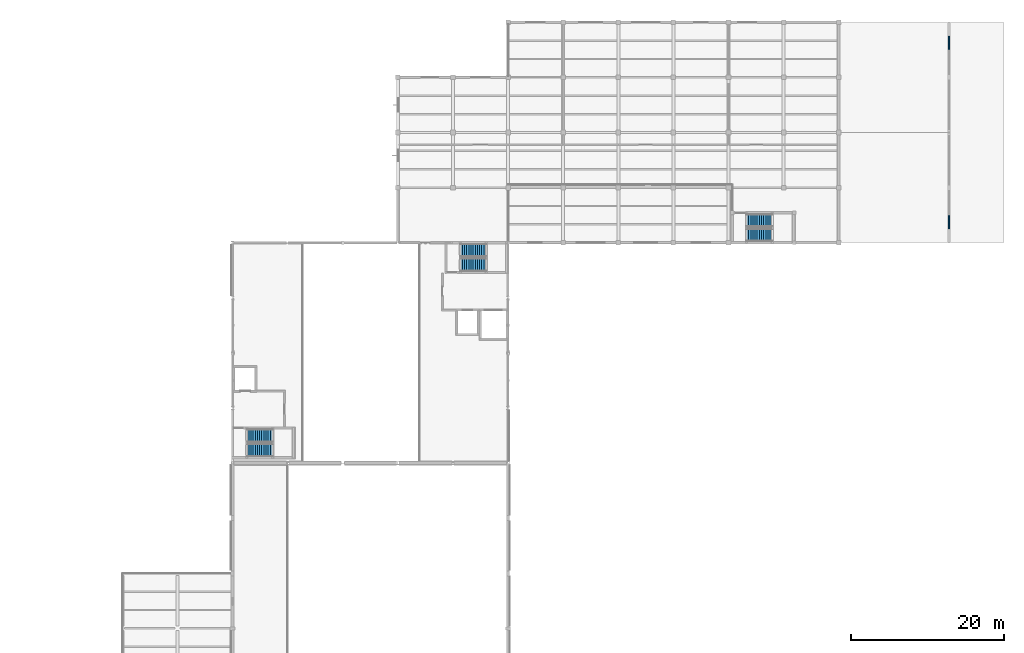
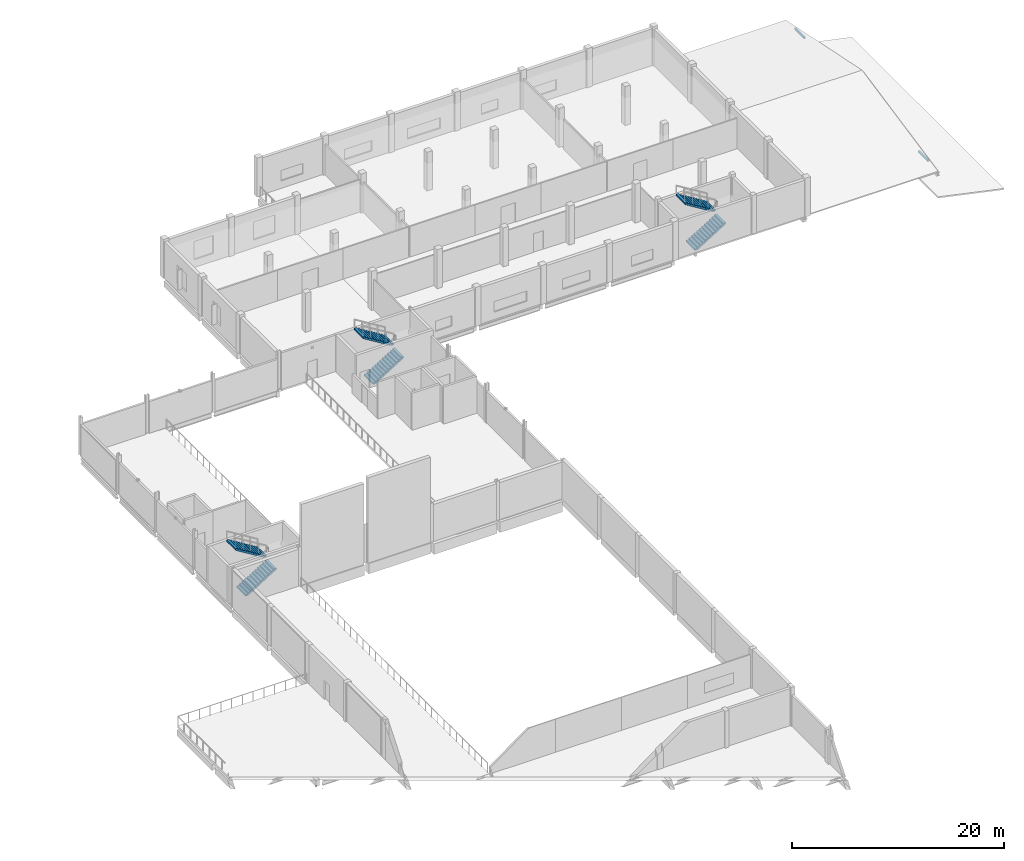
# One storey, part 70 of 76: 6 stair flights, 2 walls, 3 elements without a shape of their own.
"""IFC4 building model written with IfcOpenShell, lengths in metres."""

from ifc_helpers import new_model, si_unit, direction, frame, frame_2d, origin, place, context, subcontext, project, spatial, polyline, rectangle, outline, extrude, material, layer, layer_set, type_object, element, aggregate, save


model = new_model("IFC4")

# Units and contexts
model_context = context("Model", 3, precision=1e-05, world=origin(), true_north=direction((0.0, 1.0)))
body_context = subcontext(model_context, "Body", "Model", "MODEL_VIEW")
ifc_project = project(units=[si_unit("LENGTHUNIT", "METRE"), si_unit("AREAUNIT", "SQUARE_METRE"), si_unit("VOLUMEUNIT", "CUBIC_METRE"), si_unit("PLANEANGLEUNIT", "RADIAN"), si_unit("MASSUNIT", "GRAM", prefix="KILO"), si_unit("THERMODYNAMICTEMPERATUREUNIT", "KELVIN"), si_unit("POWERUNIT", "WATT")], contexts=[model_context])

# Site, building, storey
site_placement = place(None, origin())
site = spatial("IfcSite", under=ifc_project, at=site_placement, CompositionType="ELEMENT")
building_placement = place(site_placement, origin())
building = spatial("IfcBuilding", under=site, at=building_placement, Name="Kaldorven Railside Theatre", CompositionType="ELEMENT")
storey_placement = place(building_placement, frame((0.0, 0.0, 14.39990234375)))
storey = spatial("IfcBuildingStorey", under=building, at=storey_placement, Name="L03", CompositionType="ELEMENT", Elevation=14.39990234375)

# Walls
ifc_material_1 = material(Name="Architectural concrete C40/50", Category="concrete")
ifc_layer = layer(ifc_material_1, 0.179931640625, Name="Architectural concrete C40/50")
ifc_layer_set = layer_set([ifc_layer], Name="Architectural concrete C40/50")
wall_type = type_object("IfcWallType", Name="WL-EW08", PredefinedType="PARAPET", material=ifc_layer_set)
wall_1_placement = place(storey_placement, frame((180.800048828125, 114.60009765625, 0.02001953125), z_axis=(0.0, 0.0, 1.0), x_axis=(0.0, 1.0, 0.0)))
element("IfcWall", 1, at=wall_1_placement, inside=storey, type_object=wall_type, Name="Rehearsal East Gable Clerestory Eave Spandrel 157", PredefinedType="PARAPET", context=body_context, shape_type="SweptSolid", body=[
    extrude(rectangle(XDim=1.7998046875, YDim=0.179931640625, at=frame_2d((0.89990234375, 0.0))), origin(), (0.0, 0.0, 1.0), 0.2001953125),
])
wall_2_placement = place(storey_placement, frame((180.800048828125, 138.0, 0.02001953125), z_axis=(0.0, 0.0, 1.0), x_axis=(0.0, 1.0, 0.0)))
element("IfcWall", 2, at=wall_2_placement, inside=storey, type_object=wall_type, Name="Rehearsal East Gable Clerestory Eave Spandrel 170", PredefinedType="PARAPET", context=body_context, shape_type="SweptSolid", body=[
    extrude(rectangle(XDim=1.800048828125, YDim=0.179931640625, at=frame_2d((0.89990234375, 0.0))), origin(), (0.0, 0.0, 1.0), 0.2001953125),
])

# Stair, stair flights
ifc_material_2 = material(Name="Concrete C35/45", Category="concrete")
stair_type = type_object("IfcStairType", Name="STR-DL-03", PredefinedType="HALF_TURN_STAIR", material=ifc_material_2)
stair_1_placement = place(storey_placement, origin())
stair_1 = element("IfcStair", 3, at=stair_1_placement, inside=storey, type_object=stair_type, Name="L03 Core C-STW Escape Stair ST-05", PredefinedType="HALF_TURN_STAIR")
stair_flight_type = type_object("IfcStairFlightType", Name="STF-DL-03", PredefinedType="STRAIGHT", material=ifc_material_2)
stair_flight_1_placement = place(storey_placement, frame((89.050048828125, 85.699951171875, 0.0), z_axis=(0.0, 0.0, 1.0), x_axis=(1.0, 0.0, 0.0)))
stair_flight_1 = element("IfcStairFlight", 4, at=stair_flight_1_placement, type_object=stair_flight_type, Name="ST-05 flight 1", NumberOfRisers=13, NumberOfTreads=12, PredefinedType="STRAIGHT", RiserHeight=0.173076923, TreadLength=0.28, context=body_context, shape_type="SweptSolid", body=[
    extrude(outline(polyline([(0.0, 0.0), (0.0, 0.173095703125), (0.280029296875, 0.173095703125), (0.280029296875, 0.34619140625), (0.56005859375, 0.34619140625), (0.56005859375, 0.519287109375), (0.840087890625, 0.519287109375), (0.840087890625, 0.6923828125), (1.1201171875, 0.6923828125), (1.1201171875, 0.865478515625), (1.39990234375, 0.865478515625), (1.39990234375, 1.03857421875), (1.679931640625, 1.03857421875), (1.679931640625, 1.21142578125), (1.9599609375, 1.21142578125), (1.9599609375, 1.384521484375), (2.239990234375, 1.384521484375), (2.239990234375, 1.5576171875), (2.52001953125, 1.5576171875), (2.52001953125, 1.730712890625), (2.800048828125, 1.730712890625), (2.800048828125, 1.90380859375), (3.080078125, 1.90380859375), (3.080078125, 2.076904296875), (3.360107421875, 2.076904296875), (3.360107421875, 2.25), (3.360107421875, 1.900634765625), (0.28515625, 0.0), (0.0, 0.0)])), frame((0.0, 0.85009765625, 0.0), z_axis=(0.0, -1.0, 0.0), x_axis=(1.0, 0.0, 0.0)), (0.0, 0.0, 1.0), 1.699951171875),
])
stair_flight_2_placement = place(storey_placement, frame((92.409912109375, 87.60009765625, 2.25), z_axis=(0.0, 0.0, 1.0), x_axis=(-1.0, 0.0, 0.0)))
stair_flight_2 = element("IfcStairFlight", 5, at=stair_flight_2_placement, type_object=stair_flight_type, Name="ST-05 flight 2", NumberOfRisers=13, NumberOfTreads=12, PredefinedType="STRAIGHT", RiserHeight=0.173076923, TreadLength=0.28, context=body_context, shape_type="SweptSolid", body=[
    extrude(outline(polyline([(0.0, 0.0), (0.0, 0.173095703125), (0.280029296875, 0.173095703125), (0.280029296875, 0.34619140625), (0.56005859375, 0.34619140625), (0.56005859375, 0.519287109375), (0.840087890625, 0.519287109375), (0.840087890625, 0.6923828125), (1.1201171875, 0.6923828125), (1.1201171875, 0.865478515625), (1.39990234375, 0.865478515625), (1.39990234375, 1.03857421875), (1.679931640625, 1.03857421875), (1.679931640625, 1.21142578125), (1.9599609375, 1.21142578125), (1.9599609375, 1.384521484375), (2.239990234375, 1.384521484375), (2.239990234375, 1.5576171875), (2.52001953125, 1.5576171875), (2.52001953125, 1.730712890625), (2.800048828125, 1.730712890625), (2.800048828125, 1.90380859375), (3.080078125, 1.90380859375), (3.080078125, 2.076904296875), (3.360107421875, 2.076904296875), (3.360107421875, 2.25), (3.360107421875, 1.900634765625), (0.28515625, 0.0), (0.0, 0.0)])), frame((0.0, 0.85009765625, 0.0), z_axis=(0.0, -1.0, 0.0), x_axis=(1.0, 0.0, 0.0)), (0.0, 0.0, 1.0), 1.699951171875),
])
aggregate(stair_1, [stair_flight_1, stair_flight_2])

stair_2_placement = place(storey_placement, origin())
stair_2 = element("IfcStair", 6, at=stair_2_placement, inside=storey, type_object=stair_type, Name="L03 Core C-STE Escape Stair ST-06", PredefinedType="HALF_TURN_STAIR")
stair_flight_3_placement = place(storey_placement, frame((116.949951171875, 109.89990234375, 0.0), z_axis=(0.0, 0.0, 1.0), x_axis=(1.0, 0.0, 0.0)))
stair_flight_3 = element("IfcStairFlight", 7, at=stair_flight_3_placement, type_object=stair_flight_type, Name="ST-06 flight 1", NumberOfRisers=13, NumberOfTreads=12, PredefinedType="STRAIGHT", RiserHeight=0.173076923, TreadLength=0.28, context=body_context, shape_type="SweptSolid", body=[
    extrude(outline(polyline([(0.0, 0.0), (0.0, 0.173095703125), (0.280029296875, 0.173095703125), (0.280029296875, 0.34619140625), (0.56005859375, 0.34619140625), (0.56005859375, 0.519287109375), (0.840087890625, 0.519287109375), (0.840087890625, 0.6923828125), (1.1201171875, 0.6923828125), (1.1201171875, 0.865478515625), (1.39990234375, 0.865478515625), (1.39990234375, 1.03857421875), (1.679931640625, 1.03857421875), (1.679931640625, 1.21142578125), (1.9599609375, 1.21142578125), (1.9599609375, 1.384521484375), (2.239990234375, 1.384521484375), (2.239990234375, 1.5576171875), (2.52001953125, 1.5576171875), (2.52001953125, 1.730712890625), (2.800048828125, 1.730712890625), (2.800048828125, 1.90380859375), (3.080078125, 1.90380859375), (3.080078125, 2.076904296875), (3.360107421875, 2.076904296875), (3.360107421875, 2.25), (3.360107421875, 1.900634765625), (0.28515625, 0.0), (0.0, 0.0)])), frame((0.0, 0.85009765625, 0.0), z_axis=(0.0, -1.0, 0.0), x_axis=(1.0, 0.0, 0.0)), (0.0, 0.0, 1.0), 1.699951171875),
])
stair_flight_4_placement = place(storey_placement, frame((120.31005859375, 111.800048828125, 2.25), z_axis=(0.0, 0.0, 1.0), x_axis=(-1.0, 0.0, 0.0)))
stair_flight_4 = element("IfcStairFlight", 8, at=stair_flight_4_placement, type_object=stair_flight_type, Name="ST-06 flight 2", NumberOfRisers=13, NumberOfTreads=12, PredefinedType="STRAIGHT", RiserHeight=0.173076923, TreadLength=0.28, context=body_context, shape_type="SweptSolid", body=[
    extrude(outline(polyline([(0.0, 0.0), (0.0, 0.173095703125), (0.280029296875, 0.173095703125), (0.280029296875, 0.34619140625), (0.56005859375, 0.34619140625), (0.56005859375, 0.519287109375), (0.840087890625, 0.519287109375), (0.840087890625, 0.6923828125), (1.1201171875, 0.6923828125), (1.1201171875, 0.865478515625), (1.39990234375, 0.865478515625), (1.39990234375, 1.03857421875), (1.679931640625, 1.03857421875), (1.679931640625, 1.21142578125), (1.9599609375, 1.21142578125), (1.9599609375, 1.384521484375), (2.239990234375, 1.384521484375), (2.239990234375, 1.5576171875), (2.52001953125, 1.5576171875), (2.52001953125, 1.730712890625), (2.800048828125, 1.730712890625), (2.800048828125, 1.90380859375), (3.080078125, 1.90380859375), (3.080078125, 2.076904296875), (3.360107421875, 2.076904296875), (3.360107421875, 2.25), (3.360107421875, 1.900634765625), (0.28515625, 0.0), (0.0, 0.0)])), frame((0.0, 0.85009765625, 0.0), z_axis=(0.0, -1.0, 0.0), x_axis=(1.0, 0.0, 0.0)), (0.0, 0.0, 1.0), 1.699951171875),
])
aggregate(stair_2, [stair_flight_3, stair_flight_4])

stair_3_placement = place(storey_placement, origin())
stair_3 = element("IfcStair", 9, at=stair_3_placement, inside=storey, type_object=stair_type, Name="L03 East Backstage Escape Stair", PredefinedType="HALF_TURN_STAIR")
stair_flight_5_placement = place(storey_placement, frame((154.35009765625, 113.800048828125, 0.0), z_axis=(0.0, 0.0, 1.0), x_axis=(1.0, 0.0, 0.0)))
stair_flight_5 = element("IfcStairFlight", 10, at=stair_flight_5_placement, type_object=stair_flight_type, Name="ST-08 flight 1", NumberOfRisers=13, NumberOfTreads=12, PredefinedType="STRAIGHT", RiserHeight=0.173076923, TreadLength=0.28, context=body_context, shape_type="SweptSolid", body=[
    extrude(outline(polyline([(0.0, 0.0), (0.0, 0.173095703125), (0.280029296875, 0.173095703125), (0.280029296875, 0.34619140625), (0.56005859375, 0.34619140625), (0.56005859375, 0.519287109375), (0.840087890625, 0.519287109375), (0.840087890625, 0.6923828125), (1.1201171875, 0.6923828125), (1.1201171875, 0.865478515625), (1.39990234375, 0.865478515625), (1.39990234375, 1.03857421875), (1.679931640625, 1.03857421875), (1.679931640625, 1.21142578125), (1.9599609375, 1.21142578125), (1.9599609375, 1.384521484375), (2.239990234375, 1.384521484375), (2.239990234375, 1.5576171875), (2.52001953125, 1.5576171875), (2.52001953125, 1.730712890625), (2.800048828125, 1.730712890625), (2.800048828125, 1.90380859375), (3.080078125, 1.90380859375), (3.080078125, 2.076904296875), (3.360107421875, 2.076904296875), (3.360107421875, 2.25), (3.360107421875, 1.900634765625), (0.28515625, 0.0), (0.0, 0.0)])), frame((0.0, 0.85009765625, 0.0), z_axis=(0.0, -1.0, 0.0), x_axis=(1.0, 0.0, 0.0)), (0.0, 0.0, 1.0), 1.699951171875),
])
stair_flight_6_placement = place(storey_placement, frame((157.7099609375, 115.699951171875, 2.25), z_axis=(0.0, 0.0, 1.0), x_axis=(-1.0, 0.0, 0.0)))
stair_flight_6 = element("IfcStairFlight", 11, at=stair_flight_6_placement, type_object=stair_flight_type, Name="ST-08 flight 2", NumberOfRisers=13, NumberOfTreads=12, PredefinedType="STRAIGHT", RiserHeight=0.173076923, TreadLength=0.28, context=body_context, shape_type="SweptSolid", body=[
    extrude(outline(polyline([(0.0, 0.0), (0.0, 0.173095703125), (0.280029296875, 0.173095703125), (0.280029296875, 0.34619140625), (0.56005859375, 0.34619140625), (0.56005859375, 0.519287109375), (0.840087890625, 0.519287109375), (0.840087890625, 0.6923828125), (1.1201171875, 0.6923828125), (1.1201171875, 0.865478515625), (1.39990234375, 0.865478515625), (1.39990234375, 1.03857421875), (1.679931640625, 1.03857421875), (1.679931640625, 1.21142578125), (1.9599609375, 1.21142578125), (1.9599609375, 1.384521484375), (2.239990234375, 1.384521484375), (2.239990234375, 1.5576171875), (2.52001953125, 1.5576171875), (2.52001953125, 1.730712890625), (2.800048828125, 1.730712890625), (2.800048828125, 1.90380859375), (3.080078125, 1.90380859375), (3.080078125, 2.076904296875), (3.360107421875, 2.076904296875), (3.360107421875, 2.25), (3.360107421875, 1.900634765625), (0.28515625, 0.0), (0.0, 0.0)])), frame((0.0, 0.85009765625, 0.0), z_axis=(0.0, -1.0, 0.0), x_axis=(1.0, 0.0, 0.0)), (0.0, 0.0, 1.0), 1.699951171875),
])
aggregate(stair_3, [stair_flight_5, stair_flight_6])

save(model, "model.ifc")
